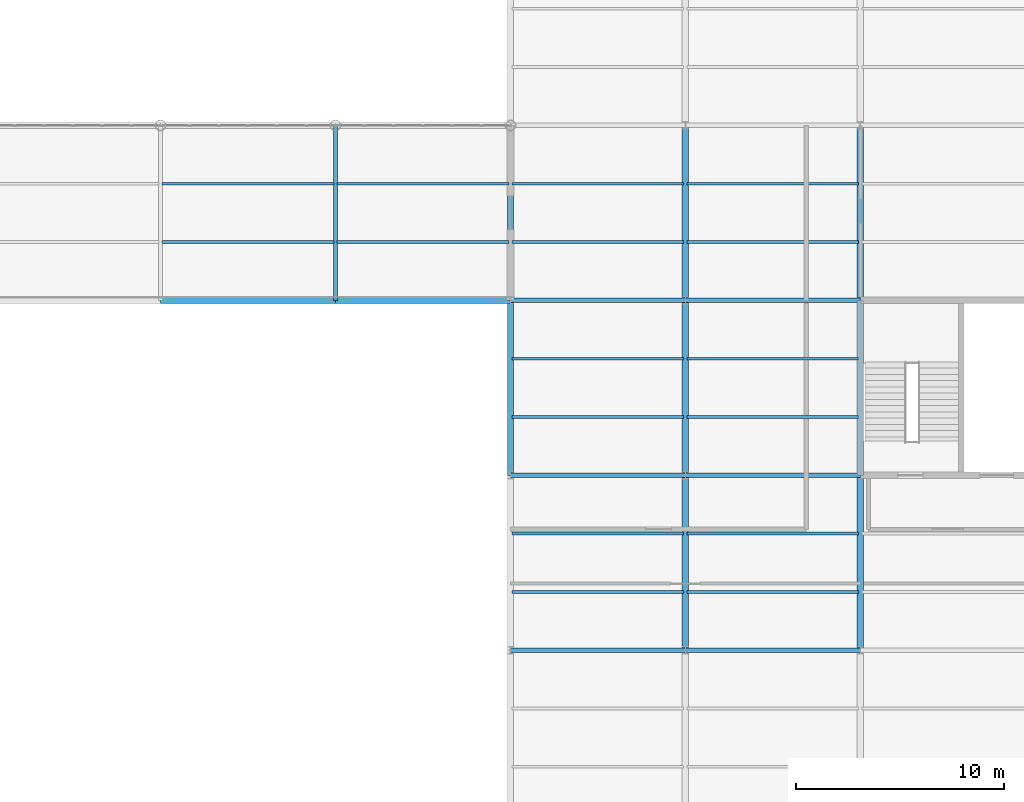
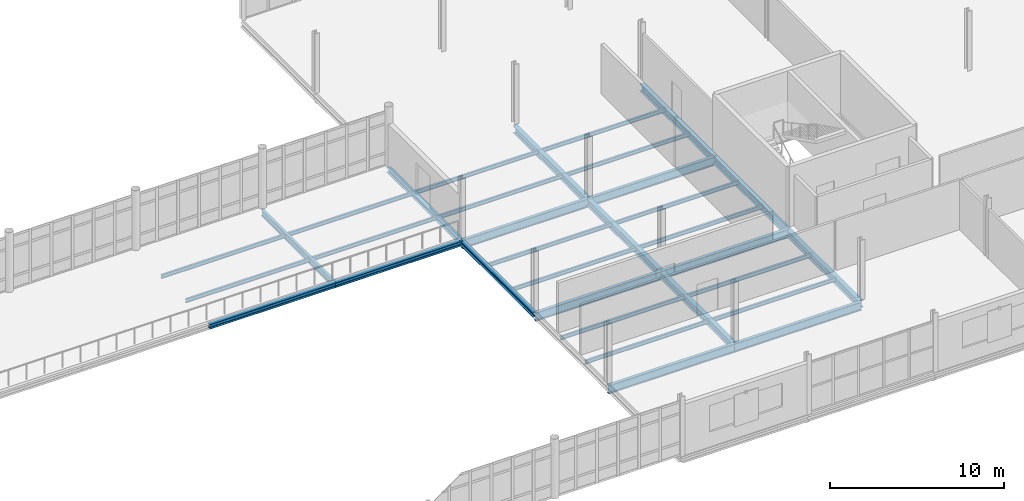
# One storey, part 66 of 163: 33 beams.
"""IFC4 building model written with IfcOpenShell, lengths in metres."""

from ifc_helpers import new_model, si_unit, direction, frame, origin, origin_2d, place, context, subcontext, project, spatial, i_section, extrude, material, material_profile, profile_set, type_object, element, save


model = new_model("IFC4")

# Units and contexts
model_context = context("Model", 3, precision=1e-05, world=origin(), true_north=direction((0.0, 1.0)))
body_context = subcontext(model_context, "Body", "Model", "MODEL_VIEW")
ifc_project = project(units=[si_unit("LENGTHUNIT", "METRE"), si_unit("AREAUNIT", "SQUARE_METRE"), si_unit("VOLUMEUNIT", "CUBIC_METRE"), si_unit("PLANEANGLEUNIT", "RADIAN"), si_unit("MASSUNIT", "GRAM", prefix="KILO")], contexts=[model_context])

# Site, building, storey
site_placement = place(None, origin())
site = spatial("IfcSite", under=ifc_project, at=site_placement, CompositionType="ELEMENT")
building_placement = place(site_placement, origin())
building = spatial("IfcBuilding", under=site, at=building_placement, Name="Qalvenar Corner Mobility Hub", CompositionType="ELEMENT")
storey_placement = place(building_placement, frame((0.0, 0.0, 4.800048828125)))
storey = spatial("IfcBuildingStorey", under=building, at=storey_placement, Name="L01", CompositionType="ELEMENT", Elevation=4.800048828125)

# Beams
ifc_material = material(Name="Steel S355", Category="steel")
ifc_material_profile_1 = material_profile(ifc_material, i_section(OverallWidth=0.300048828125, OverallDepth=0.489990234375, WebThickness=0.011962890625, FlangeThickness=0.02294921875, FilletRadius=0.027099609375, at=origin_2d()), Name="HEA500")
ifc_profile_set_1 = profile_set([ifc_material_profile_1], Name="Steel S355")
beam_type_1 = type_object("IfcBeamType", Name="BM-HEA500", PredefinedType="BEAM", material=ifc_profile_set_1)
beam_1_placement = place(storey_placement, frame((117.60009765625, 8.39990234375, -0.425048828125), z_axis=(0.0, 1.0, 0.0), x_axis=(-1.0, 0.0, 0.0)))
element("IfcBeam", 1, at=beam_1_placement, inside=storey, type_object=beam_type_1, Name="Primary Steel Girder GY-1033", PredefinedType="BEAM", context=body_context, shape_type="SweptSolid", body=[
    extrude(i_section(OverallWidth=0.300048828125, OverallDepth=0.489990234375, WebThickness=0.011962890625, FlangeThickness=0.02294921875, FilletRadius=0.027099609375, at=origin_2d()), origin(), (0.0, 0.0, 1.0), 8.400146484375),
])
beam_2_placement = place(storey_placement, frame((117.60009765625, 16.800048828125, -0.425048828125), z_axis=(0.0, 1.0, 0.0), x_axis=(-1.0, 0.0, 0.0)))
element("IfcBeam", 2, at=beam_2_placement, inside=storey, type_object=beam_type_1, Name="Primary Steel Girder GY-1034", PredefinedType="BEAM", context=body_context, shape_type="SweptSolid", body=[
    extrude(i_section(OverallWidth=0.300048828125, OverallDepth=0.489990234375, WebThickness=0.011962890625, FlangeThickness=0.02294921875, FilletRadius=0.027099609375, at=origin_2d()), origin(), (0.0, 0.0, 1.0), 8.39990234375),
])
for number, where, z_axis, x_axis, name in (
    (3, (117.60009765625, 25.199951171875, -0.425048828125), (0.0, 1.0, 0.0), (-1.0, 0.0, 0.0), "Primary Steel Girder GY-1035"),
    (4, (126.0, 8.39990234375, -0.425048828125), (0.0, 1.0, 0.0), (-1.0, 0.0, 0.0), "Primary Steel Girder GY-1039"),
):
    element("IfcBeam", number, at=place(storey_placement, frame(where, z_axis=z_axis, x_axis=x_axis)), inside=storey, type_object=beam_type_1, Name=name, PredefinedType="BEAM", context=body_context, shape_type="SweptSolid", body=[
        extrude(i_section(OverallWidth=0.300048828125, OverallDepth=0.489990234375, WebThickness=0.011962890625, FlangeThickness=0.02294921875, FilletRadius=0.027099609375, at=origin_2d()), origin(), (0.0, 0.0, 1.0), 8.400146484375),
    ])
beam_3_placement = place(storey_placement, frame((126.0, 16.800048828125, -0.425048828125), z_axis=(0.0, 1.0, 0.0), x_axis=(-1.0, 0.0, 0.0)))
element("IfcBeam", 5, at=beam_3_placement, inside=storey, type_object=beam_type_1, Name="Primary Steel Girder GY-1040", PredefinedType="BEAM", context=body_context, shape_type="SweptSolid", body=[
    extrude(i_section(OverallWidth=0.300048828125, OverallDepth=0.489990234375, WebThickness=0.011962890625, FlangeThickness=0.02294921875, FilletRadius=0.027099609375, at=origin_2d()), origin(), (0.0, 0.0, 1.0), 8.39990234375),
])
beam_4_placement = place(storey_placement, frame((126.0, 25.199951171875, -0.425048828125), z_axis=(0.0, 1.0, 0.0), x_axis=(-1.0, 0.0, 0.0)))
element("IfcBeam", 6, at=beam_4_placement, inside=storey, type_object=beam_type_1, Name="Primary Steel Girder GY-1041", PredefinedType="BEAM", context=body_context, shape_type="SweptSolid", body=[
    extrude(i_section(OverallWidth=0.300048828125, OverallDepth=0.489990234375, WebThickness=0.011962890625, FlangeThickness=0.02294921875, FilletRadius=0.027099609375, at=origin_2d()), origin(), (0.0, 0.0, 1.0), 8.400146484375),
])
ifc_material_profile_2 = material_profile(ifc_material, i_section(OverallWidth=0.18994140625, OverallDepth=0.449951171875, WebThickness=0.009521484375, FlangeThickness=0.0146484375, FilletRadius=0.02099609375, at=origin_2d()), Name="IPE450")
ifc_profile_set_2 = profile_set([ifc_material_profile_2], Name="Steel S355")
beam_type_2 = type_object("IfcBeamType", Name="BM-IPE450", PredefinedType="BEAM", material=ifc_profile_set_2)
beam_5_placement = place(storey_placement, frame((100.800048828125, 25.199951171875, -0.405029296875), z_axis=(0.0, 1.0, 0.0), x_axis=(-1.0, 0.0, 0.0)))
element("IfcBeam", 7, at=beam_5_placement, inside=storey, type_object=beam_type_2, Name="Primary Steel Girder GY-0962", PredefinedType="BEAM", context=body_context, shape_type="SweptSolid", body=[
    extrude(i_section(OverallWidth=0.18994140625, OverallDepth=0.449951171875, WebThickness=0.009521484375, FlangeThickness=0.0146484375, FilletRadius=0.02099609375, at=origin_2d()), origin(), (0.0, 0.0, 1.0), 8.400146484375),
])
ifc_material_profile_3 = material_profile(ifc_material, i_section(OverallWidth=0.219970703125, OverallDepth=0.60009765625, WebThickness=0.011962890625, FlangeThickness=0.01904296875, FilletRadius=0.02392578125, at=origin_2d()), Name="IPE600")
ifc_profile_set_3 = profile_set([ifc_material_profile_3], Name="Steel S355")
beam_type_3 = type_object("IfcBeamType", Name="BM-IPE600", PredefinedType="BEAM", material=ifc_profile_set_3)
beam_6_placement = place(storey_placement, frame((109.199951171875, 8.39990234375, -0.47998046875), z_axis=(1.0, 0.0, 0.0), x_axis=(0.0, 1.0, 0.0)))
element("IfcBeam", 8, at=beam_6_placement, inside=storey, type_object=beam_type_3, Name="Primary Steel Girder GX-0985", PredefinedType="BEAM", context=body_context, shape_type="SweptSolid", body=[
    extrude(i_section(OverallWidth=0.219970703125, OverallDepth=0.60009765625, WebThickness=0.011962890625, FlangeThickness=0.01904296875, FilletRadius=0.02392578125, at=origin_2d()), origin(), (0.0, 0.0, 1.0), 8.400146484375),
])
beam_7_placement = place(storey_placement, frame((117.60009765625, 8.39990234375, -0.47998046875), z_axis=(1.0, 0.0, 0.0), x_axis=(0.0, 1.0, 0.0)))
element("IfcBeam", 9, at=beam_7_placement, inside=storey, type_object=beam_type_3, Name="Primary Steel Girder GX-0986", PredefinedType="BEAM", context=body_context, shape_type="SweptSolid", body=[
    extrude(i_section(OverallWidth=0.219970703125, OverallDepth=0.60009765625, WebThickness=0.011962890625, FlangeThickness=0.01904296875, FilletRadius=0.02392578125, at=origin_2d()), origin(), (0.0, 0.0, 1.0), 8.39990234375),
])
beam_8_placement = place(storey_placement, frame((109.199951171875, 16.800048828125, -0.47998046875), z_axis=(1.0, 0.0, 0.0), x_axis=(0.0, 1.0, 0.0)))
element("IfcBeam", 10, at=beam_8_placement, inside=storey, type_object=beam_type_3, Name="Primary Steel Girder GX-0992", PredefinedType="BEAM", context=body_context, shape_type="SweptSolid", body=[
    extrude(i_section(OverallWidth=0.219970703125, OverallDepth=0.60009765625, WebThickness=0.011962890625, FlangeThickness=0.01904296875, FilletRadius=0.02392578125, at=origin_2d()), origin(), (0.0, 0.0, 1.0), 8.400146484375),
])
beam_9_placement = place(storey_placement, frame((117.60009765625, 16.800048828125, -0.47998046875), z_axis=(1.0, 0.0, 0.0), x_axis=(0.0, 1.0, 0.0)))
element("IfcBeam", 11, at=beam_9_placement, inside=storey, type_object=beam_type_3, Name="Primary Steel Girder GX-0993", PredefinedType="BEAM", context=body_context, shape_type="SweptSolid", body=[
    extrude(i_section(OverallWidth=0.219970703125, OverallDepth=0.60009765625, WebThickness=0.011962890625, FlangeThickness=0.01904296875, FilletRadius=0.02392578125, at=origin_2d()), origin(), (0.0, 0.0, 1.0), 8.39990234375),
])
beam_10_placement = place(storey_placement, frame((109.199951171875, 25.199951171875, -0.47998046875), z_axis=(1.0, 0.0, 0.0), x_axis=(0.0, 1.0, 0.0)))
element("IfcBeam", 12, at=beam_10_placement, inside=storey, type_object=beam_type_3, Name="Primary Steel Girder GX-0999", PredefinedType="BEAM", context=body_context, shape_type="SweptSolid", body=[
    extrude(i_section(OverallWidth=0.219970703125, OverallDepth=0.60009765625, WebThickness=0.011962890625, FlangeThickness=0.01904296875, FilletRadius=0.02392578125, at=origin_2d()), origin(), (0.0, 0.0, 1.0), 8.400146484375),
])
beam_11_placement = place(storey_placement, frame((117.60009765625, 25.199951171875, -0.47998046875), z_axis=(1.0, 0.0, 0.0), x_axis=(0.0, 1.0, 0.0)))
element("IfcBeam", 13, at=beam_11_placement, inside=storey, type_object=beam_type_3, Name="Primary Steel Girder GX-1000", PredefinedType="BEAM", context=body_context, shape_type="SweptSolid", body=[
    extrude(i_section(OverallWidth=0.219970703125, OverallDepth=0.60009765625, WebThickness=0.011962890625, FlangeThickness=0.01904296875, FilletRadius=0.02392578125, at=origin_2d()), origin(), (0.0, 0.0, 1.0), 8.39990234375),
])
ifc_material_profile_4 = material_profile(ifc_material, i_section(OverallWidth=0.135009765625, OverallDepth=0.27001953125, WebThickness=0.006591796875, FlangeThickness=0.01025390625, FilletRadius=0.014892578125, at=origin_2d()), Name="IPE270")
ifc_profile_set_4 = profile_set([ifc_material_profile_4], Name="Steel S355")
beam_type_4 = type_object("IfcBeamType", Name="BM-JST270", PredefinedType="JOIST", material=ifc_profile_set_4)
for number, where, z_axis, x_axis, name in (
    (14, (92.47802734375, 28.0, -0.31494140625), (1.0, 0.0, 0.0), (0.0, 1.0, 0.0), "Composite Floor Joist J-0974"),
    (15, (92.47802734375, 30.800048828125, -0.31494140625), (1.0, 0.0, 0.0), (0.0, 1.0, 0.0), "Composite Floor Joist J-0975"),
):
    element("IfcBeam", number, at=place(storey_placement, frame(where, z_axis=z_axis, x_axis=x_axis)), inside=storey, type_object=beam_type_4, Name=name, PredefinedType="JOIST", context=body_context, shape_type="SweptSolid", body=[
        extrude(i_section(OverallWidth=0.135009765625, OverallDepth=0.27001953125, WebThickness=0.006591796875, FlangeThickness=0.01025390625, FilletRadius=0.014892578125, at=origin_2d()), origin(), (0.0, 0.0, 1.0), 8.243896484375),
    ])
for number, where, z_axis, x_axis, name in (
    (16, (100.8779296875, 28.0, -0.31494140625), (1.0, 0.0, 0.0), (0.0, 1.0, 0.0), "Composite Floor Joist J-0976"),
    (17, (100.8779296875, 30.800048828125, -0.31494140625), (1.0, 0.0, 0.0), (0.0, 1.0, 0.0), "Composite Floor Joist J-0977"),
):
    element("IfcBeam", number, at=place(storey_placement, frame(where, z_axis=z_axis, x_axis=x_axis)), inside=storey, type_object=beam_type_4, Name=name, PredefinedType="JOIST", context=body_context, shape_type="SweptSolid", body=[
        extrude(i_section(OverallWidth=0.135009765625, OverallDepth=0.27001953125, WebThickness=0.006591796875, FlangeThickness=0.01025390625, FilletRadius=0.014892578125, at=origin_2d()), origin(), (0.0, 0.0, 1.0), 8.244140625),
    ])
for number, where, z_axis, x_axis, name in (
    (18, (109.278076171875, 11.199951171875, -0.31494140625), (1.0, 0.0, 0.0), (0.0, 1.0, 0.0), "Composite Floor Joist J-1076"),
    (19, (109.278076171875, 14.0, -0.31494140625), (1.0, 0.0, 0.0), (0.0, 1.0, 0.0), "Composite Floor Joist J-1077"),
    (20, (109.278076171875, 19.60009765625, -0.31494140625), (1.0, 0.0, 0.0), (0.0, 1.0, 0.0), "Composite Floor Joist J-1078"),
    (21, (109.278076171875, 22.39990234375, -0.31494140625), (1.0, 0.0, 0.0), (0.0, 1.0, 0.0), "Composite Floor Joist J-1079"),
    (22, (109.278076171875, 28.0, -0.31494140625), (1.0, 0.0, 0.0), (0.0, 1.0, 0.0), "Composite Floor Joist J-1080"),
    (23, (109.278076171875, 30.800048828125, -0.31494140625), (1.0, 0.0, 0.0), (0.0, 1.0, 0.0), "Composite Floor Joist J-1081"),
):
    element("IfcBeam", number, at=place(storey_placement, frame(where, z_axis=z_axis, x_axis=x_axis)), inside=storey, type_object=beam_type_4, Name=name, PredefinedType="JOIST", context=body_context, shape_type="SweptSolid", body=[
        extrude(i_section(OverallWidth=0.135009765625, OverallDepth=0.27001953125, WebThickness=0.006591796875, FlangeThickness=0.01025390625, FilletRadius=0.014892578125, at=origin_2d()), origin(), (0.0, 0.0, 1.0), 8.243896484375),
    ])
for number, where, z_axis, x_axis, name in (
    (24, (117.677978515625, 11.199951171875, -0.31494140625), (1.0, 0.0, 0.0), (0.0, 1.0, 0.0), "Composite Floor Joist J-1088"),
    (25, (117.677978515625, 14.0, -0.31494140625), (1.0, 0.0, 0.0), (0.0, 1.0, 0.0), "Composite Floor Joist J-1089"),
    (26, (117.677978515625, 19.60009765625, -0.31494140625), (1.0, 0.0, 0.0), (0.0, 1.0, 0.0), "Composite Floor Joist J-1090"),
    (27, (117.677978515625, 22.39990234375, -0.31494140625), (1.0, 0.0, 0.0), (0.0, 1.0, 0.0), "Composite Floor Joist J-1091"),
    (28, (117.677978515625, 28.0, -0.31494140625), (1.0, 0.0, 0.0), (0.0, 1.0, 0.0), "Composite Floor Joist J-1092"),
    (29, (117.677978515625, 30.800048828125, -0.31494140625), (1.0, 0.0, 0.0), (0.0, 1.0, 0.0), "Composite Floor Joist J-1093"),
):
    element("IfcBeam", number, at=place(storey_placement, frame(where, z_axis=z_axis, x_axis=x_axis)), inside=storey, type_object=beam_type_4, Name=name, PredefinedType="JOIST", context=body_context, shape_type="SweptSolid", body=[
        extrude(i_section(OverallWidth=0.135009765625, OverallDepth=0.27001953125, WebThickness=0.006591796875, FlangeThickness=0.01025390625, FilletRadius=0.014892578125, at=origin_2d()), origin(), (0.0, 0.0, 1.0), 8.244140625),
    ])
ifc_material_profile_5 = material_profile(ifc_material, i_section(OverallWidth=0.300048828125, OverallDepth=0.31005859375, WebThickness=0.009033203125, FlangeThickness=0.015380859375, FilletRadius=0.027099609375, at=origin_2d()), Name="HEA320")
ifc_profile_set_5 = profile_set([ifc_material_profile_5], Name="Steel S355")
beam_type_5 = type_object("IfcBeamType", Name="BM-SPN320", PredefinedType="SPANDREL", material=ifc_profile_set_5)
beam_12_placement = place(storey_placement, frame((109.199951171875, 25.199951171875, -0.3349609375), z_axis=(0.0, 1.0, 0.0), x_axis=(-1.0, 0.0, 0.0)))
element("IfcBeam", 30, at=beam_12_placement, inside=storey, type_object=beam_type_5, Name="Primary Steel Girder GY-0963", PredefinedType="SPANDREL", context=body_context, shape_type="SweptSolid", body=[
    extrude(i_section(OverallWidth=0.300048828125, OverallDepth=0.31005859375, WebThickness=0.009033203125, FlangeThickness=0.015380859375, FilletRadius=0.027099609375, at=origin_2d()), origin(), (0.0, 0.0, 1.0), 8.400146484375),
])
beam_13_placement = place(storey_placement, frame((109.199951171875, 16.800048828125, -0.3349609375), z_axis=(0.0, 1.0, 0.0), x_axis=(-1.0, 0.0, 0.0)))
element("IfcBeam", 31, at=beam_13_placement, inside=storey, type_object=beam_type_5, Name="Primary Steel Girder GY-1029", PredefinedType="SPANDREL", context=body_context, shape_type="SweptSolid", body=[
    extrude(i_section(OverallWidth=0.300048828125, OverallDepth=0.31005859375, WebThickness=0.009033203125, FlangeThickness=0.015380859375, FilletRadius=0.027099609375, at=origin_2d()), origin(), (0.0, 0.0, 1.0), 8.39990234375),
])
ifc_material_profile_6 = material_profile(ifc_material, i_section(OverallWidth=0.300048828125, OverallDepth=0.330078125, WebThickness=0.009521484375, FlangeThickness=0.0166015625, FilletRadius=0.027099609375, at=origin_2d()), Name="HEA340")
ifc_profile_set_6 = profile_set([ifc_material_profile_6], Name="Steel S355")
beam_type_6 = type_object("IfcBeamType", Name="BM-SPN340", PredefinedType="SPANDREL", material=ifc_profile_set_6)
beam_14_placement = place(storey_placement, frame((92.39990234375, 25.199951171875, -0.344970703125), z_axis=(1.0, 0.0, 0.0), x_axis=(0.0, 1.0, 0.0)))
element("IfcBeam", 32, at=beam_14_placement, inside=storey, type_object=beam_type_6, Name="Primary Steel Girder GX-0948", PredefinedType="SPANDREL", context=body_context, shape_type="SweptSolid", body=[
    extrude(i_section(OverallWidth=0.300048828125, OverallDepth=0.330078125, WebThickness=0.009521484375, FlangeThickness=0.0166015625, FilletRadius=0.027099609375, at=origin_2d()), origin(), (0.0, 0.0, 1.0), 8.400146484375),
])
beam_15_placement = place(storey_placement, frame((100.800048828125, 25.199951171875, -0.344970703125), z_axis=(1.0, 0.0, 0.0), x_axis=(0.0, 1.0, 0.0)))
element("IfcBeam", 33, at=beam_15_placement, inside=storey, type_object=beam_type_6, Name="Primary Steel Girder GX-0949", PredefinedType="SPANDREL", context=body_context, shape_type="SweptSolid", body=[
    extrude(i_section(OverallWidth=0.300048828125, OverallDepth=0.330078125, WebThickness=0.009521484375, FlangeThickness=0.0166015625, FilletRadius=0.027099609375, at=origin_2d()), origin(), (0.0, 0.0, 1.0), 8.39990234375),
])

save(model, "model.ifc")
